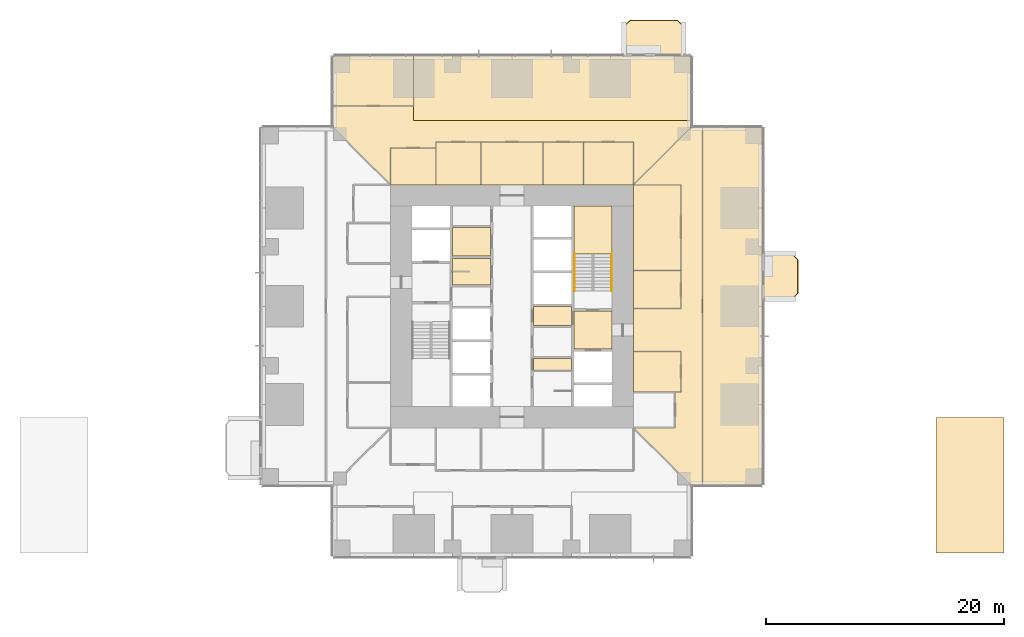
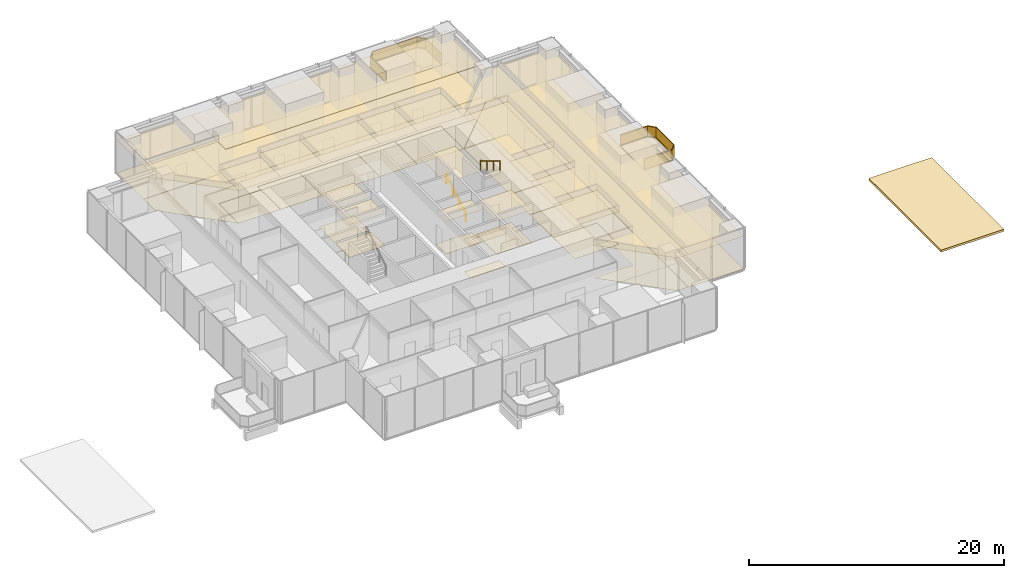
# One storey, part 15 of 16: 40 coverings, 4 railings.
"""IFC4 building model written with IfcOpenShell, lengths in metres."""

import ifcopenshell
import ifcopenshell.guid

model = None  # the IFC model being written
_history = None  # IfcOwnerHistory: only IFC2X3 demands one
_inside = {}  # id of a spatial element -> (the spatial element, [elements in it])
_under = {}  # id of a project, library or spatial element -> (it, [spatial elements below it])
_declared = {}  # id of a project -> (the project, [libraries it declares])
_typed = {}  # id of a type object -> (the type object, [elements of that type])
_made_of = {}  # id of a material, layer set ... -> (it, [elements and type objects made of it])


def new_model(schema):
    """Start an empty IFC model of exactly this schema.

    Asked for "IFC4X3", IfcOpenShell would pick the latest addendum, in which some entities
    have other attributes; the version numbers below select the first issue.
    IFC2X3 requires an IfcOwnerHistory on every rooted entity: one is made here for all.
    """
    global model, _history
    if schema == "IFC4X3":
        model = ifcopenshell.file(schema_version=(4, 3, 0, 0))
    else:
        model = ifcopenshell.file(schema=schema)
    _inside.clear()
    _under.clear()
    _declared.clear()
    _typed.clear()
    _made_of.clear()
    _history = None
    if model.schema == "IFC2X3":
        org = make("IfcOrganization", Name="unknown")
        user = make(
            "IfcPersonAndOrganization",
            ThePerson=make("IfcPerson", FamilyName="unknown"),
            TheOrganization=org,
        )
        app = make(
            "IfcApplication",
            ApplicationDeveloper=org,
            Version="unknown",
            ApplicationFullName="unknown",
            ApplicationIdentifier="unknown",
        )
        _history = make(
            "IfcOwnerHistory",
            OwningUser=user,
            OwningApplication=app,
            ChangeAction="ADDED",
            CreationDate=0,
        )
    return model


def make(cls, **values):
    """One entity of the class cls with the attributes given. An attribute that is None is left unset."""
    return model.create_entity(
        cls, **{name: value for name, value in values.items() if value is not None}
    )


def rooted(cls, **values):
    """An entity with a GlobalId (a new one), such as an element, a storey or a relation."""
    return make(cls, GlobalId=ifcopenshell.guid.new(), OwnerHistory=_history, **values)


def si_unit(unit_type, name, prefix=None):
    """IfcSIUnit, for example si_unit("LENGTHUNIT", "METRE", prefix="MILLI")."""
    return make("IfcSIUnit", UnitType=unit_type, Prefix=prefix, Name=name)


def assignment(units):
    """IfcUnitAssignment: the units of a project."""
    return None if units is None else make("IfcUnitAssignment", Units=units)


def point(xyz):
    """IfcCartesianPoint."""
    return None if xyz is None else make("IfcCartesianPoint", Coordinates=xyz)


def direction(xyz):
    """IfcDirection."""
    return None if xyz is None else make("IfcDirection", DirectionRatios=xyz)


def frame(location, z_axis=None, x_axis=None):
    """IfcAxis2Placement3D, a coordinate frame: its origin and axes. An axis left out is left unset."""
    return make(
        "IfcAxis2Placement3D",
        Location=point(location),
        Axis=direction(z_axis),
        RefDirection=direction(x_axis),
    )


def frame_2d(location, x_axis=None):
    """IfcAxis2Placement2D, a coordinate frame in the plane: its origin and x axis."""
    return make(
        "IfcAxis2Placement2D", Location=point(location), RefDirection=direction(x_axis)
    )


def origin():
    """The frame at (0, 0, 0) with its axes left unset."""
    return frame((0.0, 0.0, 0.0))


def origin_2d():
    """The frame at (0, 0) in the plane with its x axis left unset."""
    return frame_2d((0.0, 0.0))


def place(relative_to, where):
    """IfcLocalPlacement: puts the frame where relative to a parent placement (None: the world)."""
    return make(
        "IfcLocalPlacement", PlacementRelTo=relative_to, RelativePlacement=where
    )


def context(
    kind, dimensions, precision=None, world=None, true_north=None, identifier=None
):
    """IfcGeometricRepresentationContext, for example the 3D "Model" context."""
    return make(
        "IfcGeometricRepresentationContext",
        ContextIdentifier=identifier,
        ContextType=kind,
        CoordinateSpaceDimension=dimensions,
        Precision=precision,
        WorldCoordinateSystem=world,
        TrueNorth=true_north,
    )


def subcontext(parent, identifier, kind, view, scale=None):
    """IfcGeometricRepresentationSubContext, for example "Body" below "Model"."""
    return make(
        "IfcGeometricRepresentationSubContext",
        ContextIdentifier=identifier,
        ContextType=kind,
        ParentContext=parent,
        TargetScale=scale,
        TargetView=view,
    )


def project(units=None, contexts=None):
    """IfcProject with its units and contexts."""
    return rooted(
        "IfcProject",
        Name="project",
        RepresentationContexts=contexts,
        UnitsInContext=assignment(units),
    )


def spatial(cls, under=None, at=None, **own):
    """A site, building, storey or space (cls), placed at a placement, below another one or the project."""
    s = rooted(cls, ObjectPlacement=at, **own)
    if under is not None:
        _under.setdefault(under.id(), (under, []))[1].append(s)
    return s


def polyline(points):
    """IfcPolyline through the points."""
    return make("IfcPolyline", Points=[point(p) for p in points])


def profile(cls, at=None, kind="AREA", **sizes):
    """A parametric profile (cls). Its sizes go by their IFC names, for example OverallWidth=200.0."""
    return make(cls, ProfileType=kind, Position=at, **sizes)


def rectangle(**sizes):
    """IfcRectangleProfileDef."""
    return profile("IfcRectangleProfileDef", **sizes)


def circle(**sizes):
    """IfcCircleProfileDef."""
    return profile("IfcCircleProfileDef", **sizes)


def outline(outer, holes=None, kind="AREA"):
    """IfcArbitraryClosedProfileDef: a profile drawn as a closed curve; with holes, ...WithVoids."""
    if holes is None:
        return make("IfcArbitraryClosedProfileDef", ProfileType=kind, OuterCurve=outer)
    return make(
        "IfcArbitraryProfileDefWithVoids",
        ProfileType=kind,
        OuterCurve=outer,
        InnerCurves=holes,
    )


def extrude(swept, where, along, depth):
    """IfcExtrudedAreaSolid: the profile swept, set in the frame where, extruded along a direction by depth."""
    return make(
        "IfcExtrudedAreaSolid",
        SweptArea=swept,
        Position=where,
        ExtrudedDirection=direction(along),
        Depth=depth,
    )


def shape(context_of_items, identifier, shape_type, items):
    """IfcShapeRepresentation: the items that make up one representation, for example the "Body"."""
    return make(
        "IfcShapeRepresentation",
        ContextOfItems=context_of_items,
        RepresentationIdentifier=identifier,
        RepresentationType=shape_type,
        Items=items,
    )


def material(Name=None, Category=None):
    """IfcMaterial."""
    return make("IfcMaterial", Name=Name, Category=Category)


def layer(
    of_material, thickness, ventilated=None, Name=None, Category=None, Priority=None
):
    """IfcMaterialLayer: one layer of a wall or slab, of a material (None: an air gap)."""
    return make(
        "IfcMaterialLayer",
        Material=of_material,
        LayerThickness=thickness,
        IsVentilated=ventilated,
        Name=Name,
        Category=Category,
        Priority=Priority,
    )


def layer_set(layers, Name=None):
    """IfcMaterialLayerSet."""
    return make("IfcMaterialLayerSet", MaterialLayers=layers, LayerSetName=Name)


def made_of(thing, what):
    """Note that an element or type object is made of a material, layer set ...; save() writes the relation."""
    if what is not None:
        _made_of.setdefault(what.id(), (what, []))[1].append(thing)
    return thing


def type_object(cls, material=None, **own):
    """A type object (cls), such as IfcWallType, which elements share."""
    return made_of(rooted(cls, **own), material)


def element(
    cls,
    number,
    at=None,
    inside=None,
    cuts=None,
    type_object=None,
    material=None,
    context=None,
    identifier="Body",
    shape_type=None,
    held_by="IfcProductDefinitionShape",
    body=None,
    shapes=None,
    **own,
):
    """One element of the class cls, such as IfcWall. Its Tag is "e" and its number.

    at: its placement. inside: the storey or other place that contains it. cuts: it is an
    opening in that element (IfcRelVoidsElement). A single representation is given by context,
    identifier, shape_type and body (its items); several are given by shapes. held_by: the class
    of the entity that holds the representations. save() writes the other relations.
    """
    e = rooted(cls, Tag="e%d" % number, ObjectPlacement=at, **own)
    if body is not None:
        shapes = [shape(context, identifier, shape_type, body)]
    if shapes is not None:
        e.Representation = make(held_by, Representations=shapes)
    if inside is not None:
        _inside.setdefault(inside.id(), (inside, []))[1].append(e)
    if cuts is not None:
        rooted(
            "IfcRelVoidsElement", RelatingBuildingElement=cuts, RelatedOpeningElement=e
        )
    if type_object is not None:
        _typed.setdefault(type_object.id(), (type_object, []))[1].append(e)
    return made_of(e, material)


def aggregate(whole, parts):
    """IfcRelAggregates: a whole, such as a stair, and the parts it consists of."""
    return rooted("IfcRelAggregates", RelatingObject=whole, RelatedObjects=parts)


def save(model, path):
    """Write the relations noted so far, then the file.

    IfcRelAggregates (storeys below a building ...), IfcRelContainedInSpatialStructure (elements
    in a storey), IfcRelDefinesByType, IfcRelAssociatesMaterial and IfcRelDeclares: one each for
    every whole, place, type object, material and project.
    """
    for whole, parts in _under.values():
        aggregate(whole, parts)
    for where, things in _inside.values():
        rooted(
            "IfcRelContainedInSpatialStructure",
            RelatedElements=things,
            RelatingStructure=where,
        )
    for kind, things in _typed.values():
        rooted("IfcRelDefinesByType", RelatedObjects=things, RelatingType=kind)
    for what, things in _made_of.values():
        rooted("IfcRelAssociatesMaterial", RelatedObjects=things, RelatingMaterial=what)
    for by, libraries in _declared.values():
        rooted("IfcRelDeclares", RelatingContext=by, RelatedDefinitions=libraries)
    model.write(path)


model = new_model("IFC4")

# Units and contexts
model_context = context("Model", 3, precision=1e-05, world=origin(), true_north=direction((0.0, 1.0)))
body_context = subcontext(model_context, "Body", "Model", "MODEL_VIEW")
ifc_project = project(units=[si_unit("LENGTHUNIT", "METRE"), si_unit("AREAUNIT", "SQUARE_METRE"), si_unit("VOLUMEUNIT", "CUBIC_METRE"), si_unit("PLANEANGLEUNIT", "RADIAN"), si_unit("MASSUNIT", "GRAM", prefix="KILO")], contexts=[model_context])

# Site, building, storey
site_placement = place(None, origin())
site = spatial("IfcSite", under=ifc_project, at=site_placement, CompositionType="ELEMENT")
building_placement = place(site_placement, origin())
building = spatial("IfcBuilding", under=site, at=building_placement, Name="Svetlomir Tower", CompositionType="ELEMENT")
storey_placement = place(building_placement, frame((0.0, 0.0, 22.5)))
storey = spatial("IfcBuildingStorey", under=building, at=storey_placement, Name="L04", CompositionType="ELEMENT", Elevation=22.5)

# Railings
ifc_material_1 = material(Name="Bronze anodised aluminium and laminated glass", Category="aluminium")
railing_type_1 = type_object("IfcRailingType", Name="BALCONY GUARD GR1 1100", PredefinedType="GUARDRAIL", material=ifc_material_1)
railing_1_placement = place(storey_placement, frame((42.0, 21.60009765625, 0.0)))
element("IfcRailing", 1, at=railing_1_placement, inside=storey, type_object=railing_type_1, Name="Balcony guard E L04", PredefinedType="GUARDRAIL", context=body_context, shape_type="SweptSolid", body=[
    extrude(rectangle(XDim=0.06005859375, YDim=0.10009765625, at=origin_2d()), frame((0.0, 0.0, 0.050048828125), z_axis=(1.0, 0.0, 0.0), x_axis=(0.0, 1.0, 0.0)), (0.0, 0.0, 1.0), 2.5),
    extrude(rectangle(XDim=0.021484375, YDim=0.960205078125, at=origin_2d()), frame((0.0, 0.0, 0.580078125), z_axis=(1.0, 0.0, 0.0), x_axis=(0.0, 1.0, 0.0)), (0.0, 0.0, 1.0), 2.5),
    extrude(rectangle(XDim=0.06005859375, YDim=0.0400390625, at=origin_2d()), frame((0.0, 0.0, 1.080078125), z_axis=(1.0, 0.0, 0.0), x_axis=(0.0, 1.0, 0.0)), (0.0, 0.0, 1.0), 2.5),
    extrude(rectangle(XDim=0.06005859375, YDim=0.10009765625, at=origin_2d()), frame((2.5, 0.0, 0.050048828125), z_axis=(0.707106781187, 0.707106781187, 0.0), x_axis=(-0.707106781187, 0.707106781187, 0.0)), (0.0, 0.0, 1.0), 0.70703125),
    extrude(rectangle(XDim=0.021484375, YDim=0.960205078125, at=origin_2d()), frame((2.5, 0.0, 0.580078125), z_axis=(0.707106781187, 0.707106781187, 0.0), x_axis=(-0.707106781187, 0.707106781187, 0.0)), (0.0, 0.0, 1.0), 0.70703125),
    extrude(rectangle(XDim=0.06005859375, YDim=0.0400390625, at=origin_2d()), frame((2.5, 0.0, 1.080078125), z_axis=(0.707106781187, 0.707106781187, 0.0), x_axis=(-0.707106781187, 0.707106781187, 0.0)), (0.0, 0.0, 1.0), 0.70703125),
    extrude(rectangle(XDim=0.06005859375, YDim=0.10009765625, at=origin_2d()), frame((3.0, 0.5, 0.050048828125), z_axis=(0.0, 1.0, 0.0), x_axis=(-1.0, 0.0, 0.0)), (0.0, 0.0, 1.0), 2.7998046875),
    extrude(rectangle(XDim=0.021484375, YDim=0.960205078125, at=origin_2d()), frame((3.0, 0.5, 0.580078125), z_axis=(0.0, 1.0, 0.0), x_axis=(-1.0, 0.0, 0.0)), (0.0, 0.0, 1.0), 2.7998046875),
    extrude(rectangle(XDim=0.06005859375, YDim=0.0400390625, at=origin_2d()), frame((3.0, 0.5, 1.080078125), z_axis=(0.0, 1.0, 0.0), x_axis=(-1.0, 0.0, 0.0)), (0.0, 0.0, 1.0), 2.7998046875),
    extrude(rectangle(XDim=0.06005859375, YDim=0.10009765625, at=origin_2d()), frame((3.0, 3.2998046875, 0.050048828125), z_axis=(-0.707106781187, 0.707106781187, 0.0), x_axis=(-0.707106781187, -0.707106781187, 0.0)), (0.0, 0.0, 1.0), 0.70703125),
    extrude(rectangle(XDim=0.021484375, YDim=0.960205078125, at=origin_2d()), frame((3.0, 3.2998046875, 0.580078125), z_axis=(-0.707106781187, 0.707106781187, 0.0), x_axis=(-0.707106781187, -0.707106781187, 0.0)), (0.0, 0.0, 1.0), 0.70703125),
    extrude(rectangle(XDim=0.06005859375, YDim=0.0400390625, at=origin_2d()), frame((3.0, 3.2998046875, 1.080078125), z_axis=(-0.707106781187, 0.707106781187, 0.0), x_axis=(-0.707106781187, -0.707106781187, 0.0)), (0.0, 0.0, 1.0), 0.70703125),
    extrude(rectangle(XDim=0.06005859375, YDim=0.10009765625, at=origin_2d()), frame((2.5, 3.7998046875, 0.050048828125), z_axis=(-1.0, 0.0, 0.0), x_axis=(0.0, -1.0, 0.0)), (0.0, 0.0, 1.0), 2.5),
    extrude(rectangle(XDim=0.021484375, YDim=0.960205078125, at=origin_2d()), frame((2.5, 3.7998046875, 0.580078125), z_axis=(-1.0, 0.0, 0.0), x_axis=(0.0, -1.0, 0.0)), (0.0, 0.0, 1.0), 2.5),
    extrude(rectangle(XDim=0.06005859375, YDim=0.0400390625, at=origin_2d()), frame((2.5, 3.7998046875, 1.080078125), z_axis=(-1.0, 0.0, 0.0), x_axis=(0.0, -1.0, 0.0)), (0.0, 0.0, 1.0), 2.5),
])
railing_2_placement = place(storey_placement, frame((35.39990234375, 42.0, 0.0)))
element("IfcRailing", 2, at=railing_2_placement, inside=storey, type_object=railing_type_1, Name="Balcony guard N L04", PredefinedType="GUARDRAIL", context=body_context, shape_type="SweptSolid", body=[
    extrude(rectangle(XDim=0.06005859375, YDim=0.10009765625, at=origin_2d()), frame((0.0, 0.0, 0.050048828125), z_axis=(0.0, 1.0, 0.0), x_axis=(-1.0, 0.0, 0.0)), (0.0, 0.0, 1.0), 2.5),
    extrude(rectangle(XDim=0.021484375, YDim=0.960205078125, at=origin_2d()), frame((0.0, 0.0, 0.580078125), z_axis=(0.0, 1.0, 0.0), x_axis=(-1.0, 0.0, 0.0)), (0.0, 0.0, 1.0), 2.5),
    extrude(rectangle(XDim=0.06005859375, YDim=0.0400390625, at=origin_2d()), frame((0.0, 0.0, 1.080078125), z_axis=(0.0, 1.0, 0.0), x_axis=(-1.0, 0.0, 0.0)), (0.0, 0.0, 1.0), 2.5),
    extrude(rectangle(XDim=0.06005859375, YDim=0.10009765625, at=origin_2d()), frame((0.0, 2.5, 0.050048828125), z_axis=(-0.707106781187, 0.707106781187, 0.0), x_axis=(-0.707106781187, -0.707106781187, 0.0)), (0.0, 0.0, 1.0), 0.70703125),
    extrude(rectangle(XDim=0.021484375, YDim=0.960205078125, at=origin_2d()), frame((0.0, 2.5, 0.580078125), z_axis=(-0.707106781187, 0.707106781187, 0.0), x_axis=(-0.707106781187, -0.707106781187, 0.0)), (0.0, 0.0, 1.0), 0.70703125),
    extrude(rectangle(XDim=0.06005859375, YDim=0.0400390625, at=origin_2d()), frame((0.0, 2.5, 1.080078125), z_axis=(-0.707106781187, 0.707106781187, 0.0), x_axis=(-0.707106781187, -0.707106781187, 0.0)), (0.0, 0.0, 1.0), 0.70703125),
    extrude(rectangle(XDim=0.06005859375, YDim=0.10009765625, at=origin_2d()), frame((-0.5, 3.0, 0.050048828125), z_axis=(-1.0, 0.0, 0.0), x_axis=(0.0, -1.0, 0.0)), (0.0, 0.0, 1.0), 4.0),
    extrude(rectangle(XDim=0.021484375, YDim=0.960205078125, at=origin_2d()), frame((-0.5, 3.0, 0.580078125), z_axis=(-1.0, 0.0, 0.0), x_axis=(0.0, -1.0, 0.0)), (0.0, 0.0, 1.0), 4.0),
    extrude(rectangle(XDim=0.06005859375, YDim=0.0400390625, at=origin_2d()), frame((-0.5, 3.0, 1.080078125), z_axis=(-1.0, 0.0, 0.0), x_axis=(0.0, -1.0, 0.0)), (0.0, 0.0, 1.0), 4.0),
    extrude(rectangle(XDim=0.06005859375, YDim=0.10009765625, at=origin_2d()), frame((-4.5, 3.0, 0.050048828125), z_axis=(-0.707106781187, -0.707106781187, 0.0), x_axis=(0.707106781187, -0.707106781187, 0.0)), (0.0, 0.0, 1.0), 0.70703125),
    extrude(rectangle(XDim=0.021484375, YDim=0.960205078125, at=origin_2d()), frame((-4.5, 3.0, 0.580078125), z_axis=(-0.707106781187, -0.707106781187, 0.0), x_axis=(0.707106781187, -0.707106781187, 0.0)), (0.0, 0.0, 1.0), 0.70703125),
    extrude(rectangle(XDim=0.06005859375, YDim=0.0400390625, at=origin_2d()), frame((-4.5, 3.0, 1.080078125), z_axis=(-0.707106781187, -0.707106781187, 0.0), x_axis=(0.707106781187, -0.707106781187, 0.0)), (0.0, 0.0, 1.0), 0.70703125),
    extrude(rectangle(XDim=0.06005859375, YDim=0.10009765625, at=origin_2d()), frame((-5.0, 2.5, 0.050048828125), z_axis=(0.0, -1.0, 0.0), x_axis=(1.0, 0.0, 0.0)), (0.0, 0.0, 1.0), 2.5),
    extrude(rectangle(XDim=0.021484375, YDim=0.960205078125, at=origin_2d()), frame((-5.0, 2.5, 0.580078125), z_axis=(0.0, -1.0, 0.0), x_axis=(1.0, 0.0, 0.0)), (0.0, 0.0, 1.0), 2.5),
    extrude(rectangle(XDim=0.06005859375, YDim=0.0400390625, at=origin_2d()), frame((-5.0, 2.5, 1.080078125), z_axis=(0.0, -1.0, 0.0), x_axis=(1.0, 0.0, 0.0)), (0.0, 0.0, 1.0), 2.5),
])

# Coverings
ifc_material_2 = material(Name="Granite paving slabs on pedestals", Category="masonry")
ifc_layer_1 = layer(ifc_material_2, 0.0400390625)
ifc_layer_set_1 = layer_set([ifc_layer_1], Name="Granite paving slabs on pedestals")
covering_type_1 = type_object("IfcCoveringType", Name="BALCONY PAVING 40", PredefinedType="USERDEFINED", material=ifc_layer_set_1)
covering_1_placement = place(storey_placement, origin())
element("IfcCovering", 3, at=covering_1_placement, inside=storey, type_object=covering_type_1, Name="Balcony paving E L04", ObjectType="BALCONY PAVING", PredefinedType="USERDEFINED", context=body_context, shape_type="SweptSolid", body=[
    extrude(outline(polyline([(42.0, 21.60009765625), (44.5, 21.60009765625), (45.0, 22.10009765625), (45.0, 24.89990234375), (44.5, 25.39990234375), (42.0, 25.39990234375), (42.0, 21.60009765625)])), origin(), (0.0, 0.0, 1.0), 0.0400390625),
])
covering_2_placement = place(storey_placement, origin())
element("IfcCovering", 4, at=covering_2_placement, inside=storey, type_object=covering_type_1, Name="Balcony paving N L04", ObjectType="BALCONY PAVING", PredefinedType="USERDEFINED", context=body_context, shape_type="SweptSolid", body=[
    extrude(outline(polyline([(30.39990234375, 42.0), (35.39990234375, 42.0), (35.39990234375, 44.5), (34.89990234375, 45.0), (30.89990234375, 45.0), (30.39990234375, 44.5), (30.39990234375, 42.0)])), origin(), (0.0, 0.0, 1.0), 0.0400390625),
])
ifc_material_3 = material(Name="Carpet tile", Category="textile")
ifc_layer_2 = layer(ifc_material_3, 0.010009765625)
ifc_layer_set_2 = layer_set([ifc_layer_2], Name="Carpet tile")
covering_type_2 = type_object("IfcCoveringType", Name="CARPET TILE FLOOR 10", PredefinedType="FLOORING", material=ifc_layer_set_2)
covering_3_placement = place(storey_placement, origin())
element("IfcCovering", 5, at=covering_3_placement, inside=storey, type_object=covering_type_2, Name="Floor finish L04-21", PredefinedType="FLOORING", context=body_context, shape_type="SweptSolid", body=[
    extrude(outline(polyline([(31.199951171875, 13.800048828125), (35.199951171875, 13.800048828125), (35.199951171875, 17.199951171875), (31.199951171875, 17.199951171875), (31.199951171875, 13.800048828125)])), origin(), (0.0, 0.0, 1.0), 0.010009765625),
])
covering_4_placement = place(storey_placement, origin())
element("IfcCovering", 6, at=covering_4_placement, inside=storey, type_object=covering_type_2, Name="Floor finish L04-22", PredefinedType="FLOORING", context=body_context, shape_type="SweptSolid", body=[
    extrude(outline(polyline([(31.199951171875, 20.800048828125), (35.199951171875, 20.800048828125), (35.199951171875, 24.0), (31.199951171875, 24.0), (31.199951171875, 20.800048828125)])), origin(), (0.0, 0.0, 1.0), 0.010009765625),
])
covering_5_placement = place(storey_placement, origin())
element("IfcCovering", 7, at=covering_5_placement, inside=storey, type_object=covering_type_2, Name="Floor finish L04-23", PredefinedType="FLOORING", context=body_context, shape_type="SweptSolid", body=[
    extrude(outline(polyline([(31.199951171875, 24.0), (35.199951171875, 24.0), (35.199951171875, 31.199951171875), (31.199951171875, 31.199951171875), (31.199951171875, 24.0)])), origin(), (0.0, 0.0, 1.0), 0.010009765625),
])
covering_6_placement = place(storey_placement, origin())
element("IfcCovering", 8, at=covering_6_placement, inside=storey, type_object=covering_type_2, Name="Floor finish L04-24", PredefinedType="FLOORING", context=body_context, shape_type="SweptSolid", body=[
    extrude(outline(polyline([(10.800048828125, 31.199951171875), (14.60009765625, 31.199951171875), (14.60009765625, 34.300048828125), (10.800048828125, 34.300048828125), (10.800048828125, 31.199951171875)])), origin(), (0.0, 0.0, 1.0), 0.010009765625),
])
covering_7_placement = place(storey_placement, origin())
element("IfcCovering", 9, at=covering_7_placement, inside=storey, type_object=covering_type_2, Name="Floor finish L04-25", PredefinedType="FLOORING", context=body_context, shape_type="SweptSolid", body=[
    extrude(outline(polyline([(14.60009765625, 31.199951171875), (18.39990234375, 31.199951171875), (18.39990234375, 34.800048828125), (14.60009765625, 34.800048828125), (14.60009765625, 31.199951171875)])), origin(), (0.0, 0.0, 1.0), 0.010009765625),
])
covering_8_placement = place(storey_placement, origin())
element("IfcCovering", 10, at=covering_8_placement, inside=storey, type_object=covering_type_2, Name="Floor finish L04-26", PredefinedType="FLOORING", context=body_context, shape_type="SweptSolid", body=[
    extrude(outline(polyline([(23.60009765625, 31.199951171875), (27.0, 31.199951171875), (27.0, 34.800048828125), (23.60009765625, 34.800048828125), (23.60009765625, 31.199951171875)])), origin(), (0.0, 0.0, 1.0), 0.010009765625),
])
covering_9_placement = place(storey_placement, origin())
element("IfcCovering", 11, at=covering_9_placement, inside=storey, type_object=covering_type_2, Name="Floor finish L04-27", PredefinedType="FLOORING", context=body_context, shape_type="SweptSolid", body=[
    extrude(outline(polyline([(27.0, 31.199951171875), (31.199951171875, 31.199951171875), (31.199951171875, 34.800048828125), (27.0, 34.800048828125), (27.0, 31.199951171875)])), origin(), (0.0, 0.0, 1.0), 0.010009765625),
])
covering_10_placement = place(storey_placement, origin())
element("IfcCovering", 12, at=covering_10_placement, inside=storey, type_object=covering_type_2, Name="Floor finish L04-28", PredefinedType="FLOORING", context=body_context, shape_type="SweptSolid", body=[
    extrude(outline(polyline([(6.0, 37.800048828125), (12.75, 37.800048828125), (12.75, 42.0), (6.0, 42.0), (6.0, 37.800048828125)])), origin(), (0.0, 0.0, 1.0), 0.010009765625),
])
covering_11_placement = place(storey_placement, origin())
element("IfcCovering", 13, at=covering_11_placement, inside=storey, type_object=covering_type_2, Name="Floor finish L04-33", PredefinedType="FLOORING", context=body_context, shape_type="SweptSolid", body=[
    extrude(outline(polyline([(31.199951171875, 20.800048828125), (35.199951171875, 20.800048828125), (35.199951171875, 31.199951171875), (31.199951171875, 31.199951171875), (36.0, 36.0), (37.0, 36.0), (37.0, 6.0), (36.0, 6.0), (31.199951171875, 10.800048828125), (34.699951171875, 10.800048828125), (34.699951171875, 13.800048828125), (35.199951171875, 13.800048828125), (35.199951171875, 17.199951171875), (31.199951171875, 17.199951171875), (31.199951171875, 20.800048828125)])), origin(), (0.0, 0.0, 1.0), 0.010009765625),
])
covering_12_placement = place(storey_placement, origin())
element("IfcCovering", 14, at=covering_12_placement, inside=storey, type_object=covering_type_2, Name="Floor finish L04-34", PredefinedType="FLOORING", context=body_context, shape_type="SweptSolid", body=[
    extrude(outline(polyline([(6.0, 37.800048828125), (12.75, 37.800048828125), (12.75, 36.60009765625), (36.0, 36.60009765625), (36.0, 36.0), (31.199951171875, 31.199951171875), (31.199951171875, 34.800048828125), (14.60009765625, 34.800048828125), (14.60009765625, 34.300048828125), (10.800048828125, 34.300048828125), (10.800048828125, 31.199951171875), (6.0, 36.0), (6.0, 37.800048828125)])), origin(), (0.0, 0.0, 1.0), 0.010009765625),
])
covering_13_placement = place(storey_placement, origin())
element("IfcCovering", 15, at=covering_13_placement, inside=storey, type_object=covering_type_2, Name="Floor finish L04-39", PredefinedType="FLOORING", context=body_context, shape_type="SweptSolid", body=[
    extrude(outline(polyline([(42.0, 6.0), (37.0, 6.0), (37.0, 36.0), (42.0, 36.0), (42.0, 6.0)])), origin(), (0.0, 0.0, 1.0), 0.010009765625),
])
covering_14_placement = place(storey_placement, origin())
element("IfcCovering", 16, at=covering_14_placement, inside=storey, type_object=covering_type_2, Name="Floor finish L04-40", PredefinedType="FLOORING", context=body_context, shape_type="SweptSolid", body=[
    extrude(outline(polyline([(36.0, 42.0), (36.0, 36.60009765625), (12.75, 36.60009765625), (12.75, 42.0), (36.0, 42.0)])), origin(), (0.0, 0.0, 1.0), 0.010009765625),
])
covering_15_placement = place(storey_placement, origin())
element("IfcCovering", 17, at=covering_15_placement, inside=storey, type_object=covering_type_2, Name="Floor finish L04-41", PredefinedType="FLOORING", context=body_context, shape_type="SweptSolid", body=[
    extrude(outline(polyline([(18.39990234375, 31.199951171875), (18.39990234375, 34.800048828125), (23.60009765625, 34.800048828125), (23.60009765625, 31.199951171875), (18.39990234375, 31.199951171875)])), origin(), (0.0, 0.0, 1.0), 0.010009765625),
])
ifc_material_4 = material(Name="Ceramic floor tile", Category="ceramic")
ifc_layer_3 = layer(ifc_material_4, 0.014892578125)
ifc_layer_set_3 = layer_set([ifc_layer_3], Name="Ceramic floor tile")
covering_type_3 = type_object("IfcCoveringType", Name="CERAMIC TILE FLOOR 15", PredefinedType="FLOORING", material=ifc_layer_set_3)
covering_16_placement = place(storey_placement, origin())
element("IfcCovering", 18, at=covering_16_placement, inside=storey, type_object=covering_type_3, Name="Floor finish L04-04", PredefinedType="FLOORING", context=body_context, shape_type="SweptSolid", body=[
    extrude(outline(polyline([(16.0, 22.800048828125), (19.199951171875, 22.800048828125), (19.199951171875, 25.0), (16.0, 25.0), (16.0, 22.800048828125)])), origin(), (0.0, 0.0, 1.0), 0.014892578125),
])
covering_17_placement = place(storey_placement, origin())
element("IfcCovering", 19, at=covering_17_placement, inside=storey, type_object=covering_type_3, Name="Floor finish L04-05", PredefinedType="FLOORING", context=body_context, shape_type="SweptSolid", body=[
    extrude(outline(polyline([(16.0, 25.199951171875), (19.199951171875, 25.199951171875), (19.199951171875, 27.60009765625), (16.0, 27.60009765625), (16.0, 25.199951171875)])), origin(), (0.0, 0.0, 1.0), 0.014892578125),
])
covering_18_placement = place(storey_placement, origin())
element("IfcCovering", 20, at=covering_18_placement, inside=storey, type_object=covering_type_3, Name="Floor finish L04-08", PredefinedType="FLOORING", context=body_context, shape_type="SweptSolid", body=[
    extrude(outline(polyline([(22.800048828125, 15.60009765625), (26.0, 15.60009765625), (26.0, 16.60009765625), (22.800048828125, 16.60009765625), (22.800048828125, 15.60009765625)])), origin(), (0.0, 0.0, 1.0), 0.014892578125),
])

# Railings
ifc_material_5 = material(Name="Stainless steel", Category="steel")
railing_type_2 = type_object("IfcRailingType", Name="HANDRAIL HR1 900", PredefinedType="HANDRAIL", material=ifc_material_5)
railing_3_placement = place(storey_placement, frame((26.25, 22.300048828125, 0.166748046875)))
element("IfcRailing", 21, at=railing_3_placement, inside=storey, type_object=railing_type_2, Name="Handrail S2 flight 1 L04", PredefinedType="HANDRAIL", context=body_context, shape_type="SweptSolid", body=[
    extrude(circle(Radius=0.02392578125, at=origin_2d()), frame((0.0, 0.0, 0.8759765625), z_axis=(0.0, 0.859290745958, 0.51148745235), x_axis=(-1.0, 0.0, 0.0)), (0.0, 0.0, 1.0), 3.584228515625),
    extrude(circle(Radius=0.02099609375, at=origin_2d()), origin(), (0.0, 0.0, 1.0), 0.851806640625),
    extrude(circle(Radius=0.02099609375, at=origin_2d()), frame((0.0, 1.026611328125, 0.611083984375)), (0.0, 0.0, 1.0), 0.851806640625),
    extrude(circle(Radius=0.02099609375, at=origin_2d()), frame((0.0, 2.05322265625, 1.22216796875)), (0.0, 0.0, 1.0), 0.851806640625),
    extrude(circle(Radius=0.02099609375, at=origin_2d()), frame((0.0, 3.079833984375, 1.833251953125)), (0.0, 0.0, 1.0), 0.851806640625),
])
railing_4_placement = place(storey_placement, frame((29.35009765625, 25.3798828125, 2.166748046875)))
element("IfcRailing", 22, at=railing_4_placement, inside=storey, type_object=railing_type_2, Name="Handrail S2 flight 2 L04", PredefinedType="HANDRAIL", context=body_context, shape_type="SweptSolid", body=[
    extrude(circle(Radius=0.02392578125, at=origin_2d()), frame((0.0, 0.0, 0.8759765625), z_axis=(0.0, -0.859290745958, 0.51148745235), x_axis=(1.0, 0.0, 0.0)), (0.0, 0.0, 1.0), 3.584228515625),
    extrude(circle(Radius=0.02099609375, at=origin_2d()), origin(), (0.0, 0.0, 1.0), 0.851806640625),
    extrude(circle(Radius=0.02099609375, at=origin_2d()), frame((0.0, -1.026611328125, 0.611083984375)), (0.0, 0.0, 1.0), 0.851806640625),
    extrude(circle(Radius=0.02099609375, at=origin_2d()), frame((0.0, -2.05322265625, 1.22216796875)), (0.0, 0.0, 1.0), 0.851806640625),
    extrude(circle(Radius=0.02099609375, at=origin_2d()), frame((0.0, -3.079833984375, 1.833251953125)), (0.0, 0.0, 1.0), 0.851806640625),
])

# Coverings
ifc_material_6 = material(Name="Insulated steel roof deck with membrane", Category="steel")
ifc_layer_4 = layer(ifc_material_6, 0.199951171875)
ifc_layer_set_4 = layer_set([ifc_layer_4], Name="Insulated steel roof deck with membrane")
covering_type_4 = type_object("IfcCoveringType", Name="HEAD-HOUSE ROOF DECK 200", PredefinedType="ROOFING", material=ifc_layer_set_4)
covering_19_placement = place(storey_placement, frame((0.0, 0.0, -0.050048828125)))
element("IfcCovering", 23, at=covering_19_placement, inside=storey, type_object=covering_type_4, Name="Stair P4 head-house roof", PredefinedType="ROOFING", context=body_context, shape_type="SweptSolid", body=[
    extrude(outline(polyline([(56.60009765625, 0.300048828125), (62.300048828125, 0.300048828125), (62.300048828125, 11.64990234375), (56.60009765625, 11.64990234375), (56.60009765625, 0.300048828125)])), origin(), (0.0, 0.0, 1.0), 0.199951171875),
])
ifc_material_7 = material(Name="Moisture resistant plasterboard ceiling", Category="gypsum")
ifc_layer_5 = layer(ifc_material_7, 0.012451171875)
ifc_layer_set_5 = layer_set([ifc_layer_5], Name="Moisture resistant plasterboard ceiling")
covering_type_5 = type_object("IfcCoveringType", Name="MOISTURE RESISTANT CEILING 12.5", PredefinedType="CEILING", material=ifc_layer_set_5)
covering_20_placement = place(storey_placement, frame((0.0, 0.0, 3.137451171875)))
element("IfcCovering", 24, at=covering_20_placement, inside=storey, type_object=covering_type_5, Name="Ceiling L04-04", PredefinedType="CEILING", context=body_context, shape_type="SweptSolid", body=[
    extrude(outline(polyline([(16.0, 22.800048828125), (19.199951171875, 22.800048828125), (19.199951171875, 25.0), (16.0, 25.0), (16.0, 22.800048828125)])), origin(), (0.0, 0.0, 1.0), 0.012451171875),
])
covering_21_placement = place(storey_placement, frame((0.0, 0.0, 3.137451171875)))
element("IfcCovering", 25, at=covering_21_placement, inside=storey, type_object=covering_type_5, Name="Ceiling L04-05", PredefinedType="CEILING", context=body_context, shape_type="SweptSolid", body=[
    extrude(outline(polyline([(16.0, 25.199951171875), (19.199951171875, 25.199951171875), (19.199951171875, 27.60009765625), (16.0, 27.60009765625), (16.0, 25.199951171875)])), origin(), (0.0, 0.0, 1.0), 0.012451171875),
])
covering_22_placement = place(storey_placement, frame((0.0, 0.0, 3.137451171875)))
element("IfcCovering", 26, at=covering_22_placement, inside=storey, type_object=covering_type_5, Name="Ceiling L04-08", PredefinedType="CEILING", context=body_context, shape_type="SweptSolid", body=[
    extrude(outline(polyline([(22.800048828125, 15.60009765625), (26.0, 15.60009765625), (26.0, 16.60009765625), (22.800048828125, 16.60009765625), (22.800048828125, 15.60009765625)])), origin(), (0.0, 0.0, 1.0), 0.012451171875),
])
ifc_material_8 = material(Name="Gypsum plasterboard ceiling", Category="gypsum")
ifc_layer_6 = layer(ifc_material_8, 0.014892578125)
ifc_layer_set_6 = layer_set([ifc_layer_6], Name="Gypsum plasterboard ceiling")
covering_type_6 = type_object("IfcCoveringType", Name="PLASTERBOARD CEILING 15", PredefinedType="CEILING", material=ifc_layer_set_6)
covering_23_placement = place(storey_placement, frame((0.0, 0.0, 3.135009765625)))
element("IfcCovering", 27, at=covering_23_placement, inside=storey, type_object=covering_type_6, Name="Ceiling L04-11", PredefinedType="CEILING", context=body_context, shape_type="SweptSolid", body=[
    extrude(outline(polyline([(22.800048828125, 19.39990234375), (26.0, 19.39990234375), (26.0, 21.0), (22.800048828125, 21.0), (22.800048828125, 19.39990234375)])), origin(), (0.0, 0.0, 1.0), 0.014892578125),
])
covering_24_placement = place(storey_placement, frame((0.0, 0.0, 3.135009765625)))
element("IfcCovering", 28, at=covering_24_placement, inside=storey, type_object=covering_type_6, Name="Ceiling L04-12", PredefinedType="CEILING", context=body_context, shape_type="SweptSolid", body=[
    extrude(outline(polyline([(26.199951171875, 17.39990234375), (29.39990234375, 17.39990234375), (29.39990234375, 20.60009765625), (26.199951171875, 20.60009765625), (26.199951171875, 17.39990234375)])), origin(), (0.0, 0.0, 1.0), 0.014892578125),
])
ifc_material_9 = material(Name="Studded rubber floor finish", Category="rubber")
ifc_layer_7 = layer(ifc_material_9, 0.006103515625)
ifc_layer_set_7 = layer_set([ifc_layer_7], Name="Studded rubber floor finish")
covering_type_7 = type_object("IfcCoveringType", Name="RUBBER LANDING FINISH 6", PredefinedType="FLOORING", material=ifc_layer_set_7)
covering_25_placement = place(storey_placement, frame((0.0, 0.0, 2.0)))
element("IfcCovering", 29, at=covering_25_placement, inside=storey, type_object=covering_type_7, Name="Stair S2 landing finish L04", PredefinedType="FLOORING", context=body_context, shape_type="SweptSolid", body=[
    extrude(outline(polyline([(26.199951171875, 25.3798828125), (29.39990234375, 25.3798828125), (29.39990234375, 29.39990234375), (26.199951171875, 29.39990234375), (26.199951171875, 25.3798828125)])), origin(), (0.0, 0.0, 1.0), 0.006103515625),
])
ifc_material_10 = material(Name="Mineral fibre ceiling tile", Category="mineral")
ifc_layer_8 = layer(ifc_material_10, 0.02001953125)
ifc_layer_set_8 = layer_set([ifc_layer_8], Name="Mineral fibre ceiling tile")
covering_type_8 = type_object("IfcCoveringType", Name="SUSPENDED CEILING 20", PredefinedType="CEILING", material=ifc_layer_set_8)
covering_26_placement = place(storey_placement, frame((0.0, 0.0, 3.1298828125)))
element("IfcCovering", 30, at=covering_26_placement, inside=storey, type_object=covering_type_8, Name="Ceiling L04-21", PredefinedType="CEILING", context=body_context, shape_type="SweptSolid", body=[
    extrude(outline(polyline([(31.199951171875, 13.800048828125), (35.199951171875, 13.800048828125), (35.199951171875, 17.199951171875), (31.199951171875, 17.199951171875), (31.199951171875, 13.800048828125)])), origin(), (0.0, 0.0, 1.0), 0.02001953125),
])
covering_27_placement = place(storey_placement, frame((0.0, 0.0, 3.1298828125)))
element("IfcCovering", 31, at=covering_27_placement, inside=storey, type_object=covering_type_8, Name="Ceiling L04-22", PredefinedType="CEILING", context=body_context, shape_type="SweptSolid", body=[
    extrude(outline(polyline([(31.199951171875, 20.800048828125), (35.199951171875, 20.800048828125), (35.199951171875, 24.0), (31.199951171875, 24.0), (31.199951171875, 20.800048828125)])), origin(), (0.0, 0.0, 1.0), 0.02001953125),
])
covering_28_placement = place(storey_placement, frame((0.0, 0.0, 3.1298828125)))
element("IfcCovering", 32, at=covering_28_placement, inside=storey, type_object=covering_type_8, Name="Ceiling L04-23", PredefinedType="CEILING", context=body_context, shape_type="SweptSolid", body=[
    extrude(outline(polyline([(31.199951171875, 24.0), (35.199951171875, 24.0), (35.199951171875, 31.199951171875), (31.199951171875, 31.199951171875), (31.199951171875, 24.0)])), origin(), (0.0, 0.0, 1.0), 0.02001953125),
])
covering_29_placement = place(storey_placement, frame((0.0, 0.0, 3.1298828125)))
element("IfcCovering", 33, at=covering_29_placement, inside=storey, type_object=covering_type_8, Name="Ceiling L04-24", PredefinedType="CEILING", context=body_context, shape_type="SweptSolid", body=[
    extrude(outline(polyline([(10.800048828125, 31.199951171875), (14.60009765625, 31.199951171875), (14.60009765625, 34.300048828125), (10.800048828125, 34.300048828125), (10.800048828125, 31.199951171875)])), origin(), (0.0, 0.0, 1.0), 0.02001953125),
])
covering_30_placement = place(storey_placement, frame((0.0, 0.0, 3.1298828125)))
element("IfcCovering", 34, at=covering_30_placement, inside=storey, type_object=covering_type_8, Name="Ceiling L04-25", PredefinedType="CEILING", context=body_context, shape_type="SweptSolid", body=[
    extrude(outline(polyline([(14.60009765625, 31.199951171875), (18.39990234375, 31.199951171875), (18.39990234375, 34.800048828125), (14.60009765625, 34.800048828125), (14.60009765625, 31.199951171875)])), origin(), (0.0, 0.0, 1.0), 0.02001953125),
])
covering_31_placement = place(storey_placement, frame((0.0, 0.0, 3.1298828125)))
element("IfcCovering", 35, at=covering_31_placement, inside=storey, type_object=covering_type_8, Name="Ceiling L04-26", PredefinedType="CEILING", context=body_context, shape_type="SweptSolid", body=[
    extrude(outline(polyline([(23.60009765625, 31.199951171875), (27.0, 31.199951171875), (27.0, 34.800048828125), (23.60009765625, 34.800048828125), (23.60009765625, 31.199951171875)])), origin(), (0.0, 0.0, 1.0), 0.02001953125),
])
covering_32_placement = place(storey_placement, frame((0.0, 0.0, 3.1298828125)))
element("IfcCovering", 36, at=covering_32_placement, inside=storey, type_object=covering_type_8, Name="Ceiling L04-27", PredefinedType="CEILING", context=body_context, shape_type="SweptSolid", body=[
    extrude(outline(polyline([(27.0, 31.199951171875), (31.199951171875, 31.199951171875), (31.199951171875, 34.800048828125), (27.0, 34.800048828125), (27.0, 31.199951171875)])), origin(), (0.0, 0.0, 1.0), 0.02001953125),
])
covering_33_placement = place(storey_placement, frame((0.0, 0.0, 3.1298828125)))
element("IfcCovering", 37, at=covering_33_placement, inside=storey, type_object=covering_type_8, Name="Ceiling L04-28", PredefinedType="CEILING", context=body_context, shape_type="SweptSolid", body=[
    extrude(outline(polyline([(6.0, 37.800048828125), (12.75, 37.800048828125), (12.75, 42.0), (6.0, 42.0), (6.0, 37.800048828125)])), origin(), (0.0, 0.0, 1.0), 0.02001953125),
])
covering_34_placement = place(storey_placement, frame((0.0, 0.0, 3.1298828125)))
element("IfcCovering", 38, at=covering_34_placement, inside=storey, type_object=covering_type_8, Name="Ceiling L04-33", PredefinedType="CEILING", context=body_context, shape_type="SweptSolid", body=[
    extrude(outline(polyline([(31.199951171875, 20.800048828125), (35.199951171875, 20.800048828125), (35.199951171875, 31.199951171875), (31.199951171875, 31.199951171875), (36.0, 36.0), (37.0, 36.0), (37.0, 6.0), (36.0, 6.0), (31.199951171875, 10.800048828125), (34.699951171875, 10.800048828125), (34.699951171875, 13.800048828125), (35.199951171875, 13.800048828125), (35.199951171875, 17.199951171875), (31.199951171875, 17.199951171875), (31.199951171875, 20.800048828125)])), origin(), (0.0, 0.0, 1.0), 0.02001953125),
])
covering_35_placement = place(storey_placement, frame((0.0, 0.0, 3.1298828125)))
element("IfcCovering", 39, at=covering_35_placement, inside=storey, type_object=covering_type_8, Name="Ceiling L04-34", PredefinedType="CEILING", context=body_context, shape_type="SweptSolid", body=[
    extrude(outline(polyline([(6.0, 37.800048828125), (12.75, 37.800048828125), (12.75, 36.60009765625), (36.0, 36.60009765625), (36.0, 36.0), (31.199951171875, 31.199951171875), (31.199951171875, 34.800048828125), (14.60009765625, 34.800048828125), (14.60009765625, 34.300048828125), (10.800048828125, 34.300048828125), (10.800048828125, 31.199951171875), (6.0, 36.0), (6.0, 37.800048828125)])), origin(), (0.0, 0.0, 1.0), 0.02001953125),
])
covering_36_placement = place(storey_placement, frame((0.0, 0.0, 3.1298828125)))
element("IfcCovering", 40, at=covering_36_placement, inside=storey, type_object=covering_type_8, Name="Ceiling L04-39", PredefinedType="CEILING", context=body_context, shape_type="SweptSolid", body=[
    extrude(outline(polyline([(42.0, 6.0), (37.0, 6.0), (37.0, 36.0), (42.0, 36.0), (42.0, 6.0)])), origin(), (0.0, 0.0, 1.0), 0.02001953125),
])
covering_37_placement = place(storey_placement, frame((0.0, 0.0, 3.1298828125)))
element("IfcCovering", 41, at=covering_37_placement, inside=storey, type_object=covering_type_8, Name="Ceiling L04-40", PredefinedType="CEILING", context=body_context, shape_type="SweptSolid", body=[
    extrude(outline(polyline([(36.0, 42.0), (36.0, 36.60009765625), (12.75, 36.60009765625), (12.75, 42.0), (36.0, 42.0)])), origin(), (0.0, 0.0, 1.0), 0.02001953125),
])
covering_38_placement = place(storey_placement, frame((0.0, 0.0, 3.1298828125)))
element("IfcCovering", 42, at=covering_38_placement, inside=storey, type_object=covering_type_8, Name="Ceiling L04-41", PredefinedType="CEILING", context=body_context, shape_type="SweptSolid", body=[
    extrude(outline(polyline([(18.39990234375, 31.199951171875), (18.39990234375, 34.800048828125), (23.60009765625, 34.800048828125), (23.60009765625, 31.199951171875), (18.39990234375, 31.199951171875)])), origin(), (0.0, 0.0, 1.0), 0.02001953125),
])
ifc_material_11 = material(Name="Bronze-aggregate terrazzo", Category="stone")
ifc_layer_9 = layer(ifc_material_11, 0.030029296875)
ifc_layer_set_9 = layer_set([ifc_layer_9], Name="Bronze-aggregate terrazzo")
covering_type_9 = type_object("IfcCoveringType", Name="TERRAZZO FLOOR 30", PredefinedType="FLOORING", material=ifc_layer_set_9)
covering_39_placement = place(storey_placement, origin())
element("IfcCovering", 43, at=covering_39_placement, inside=storey, type_object=covering_type_9, Name="Floor finish L04-11", PredefinedType="FLOORING", context=body_context, shape_type="SweptSolid", body=[
    extrude(outline(polyline([(22.800048828125, 19.39990234375), (26.0, 19.39990234375), (26.0, 21.0), (22.800048828125, 21.0), (22.800048828125, 19.39990234375)])), origin(), (0.0, 0.0, 1.0), 0.030029296875),
])
covering_40_placement = place(storey_placement, origin())
element("IfcCovering", 44, at=covering_40_placement, inside=storey, type_object=covering_type_9, Name="Floor finish L04-12", PredefinedType="FLOORING", context=body_context, shape_type="SweptSolid", body=[
    extrude(outline(polyline([(26.199951171875, 17.39990234375), (29.39990234375, 17.39990234375), (29.39990234375, 20.60009765625), (26.199951171875, 20.60009765625), (26.199951171875, 17.39990234375)])), origin(), (0.0, 0.0, 1.0), 0.030029296875),
])

save(model, "model.ifc")
